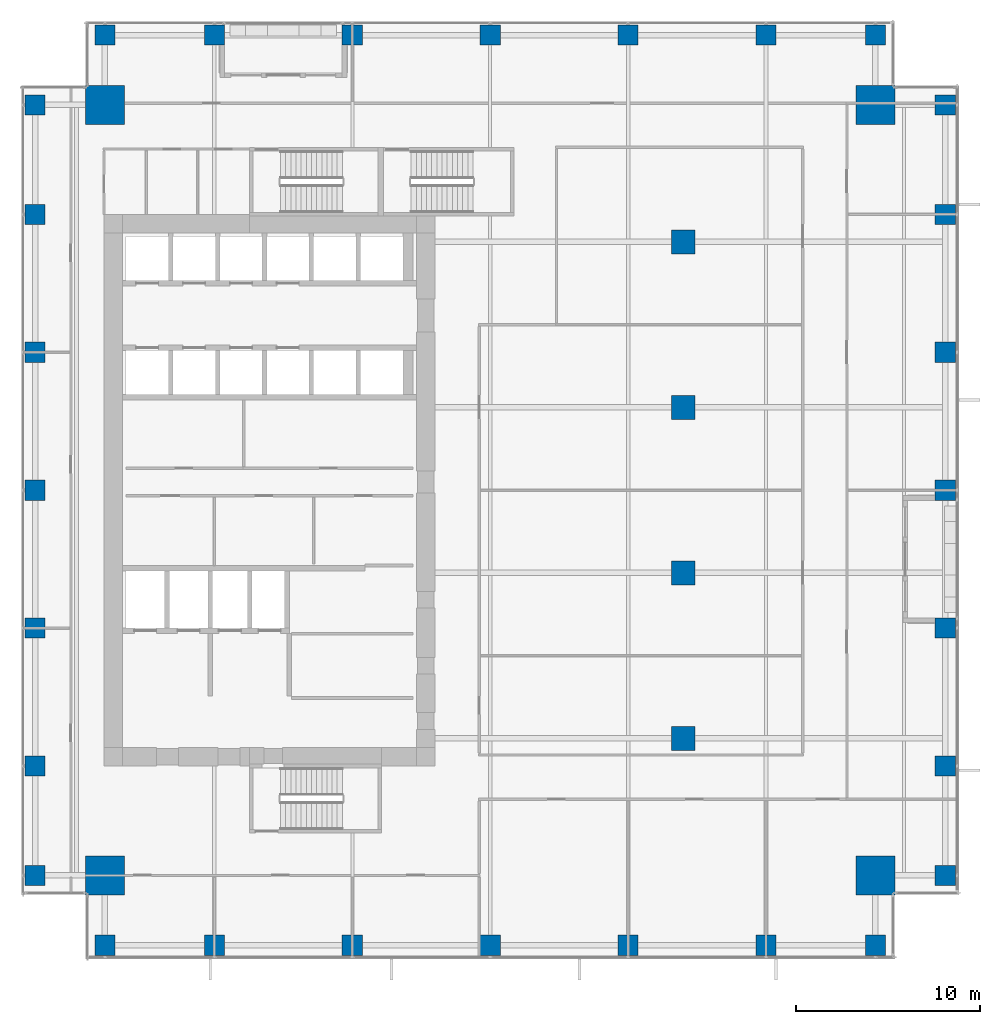
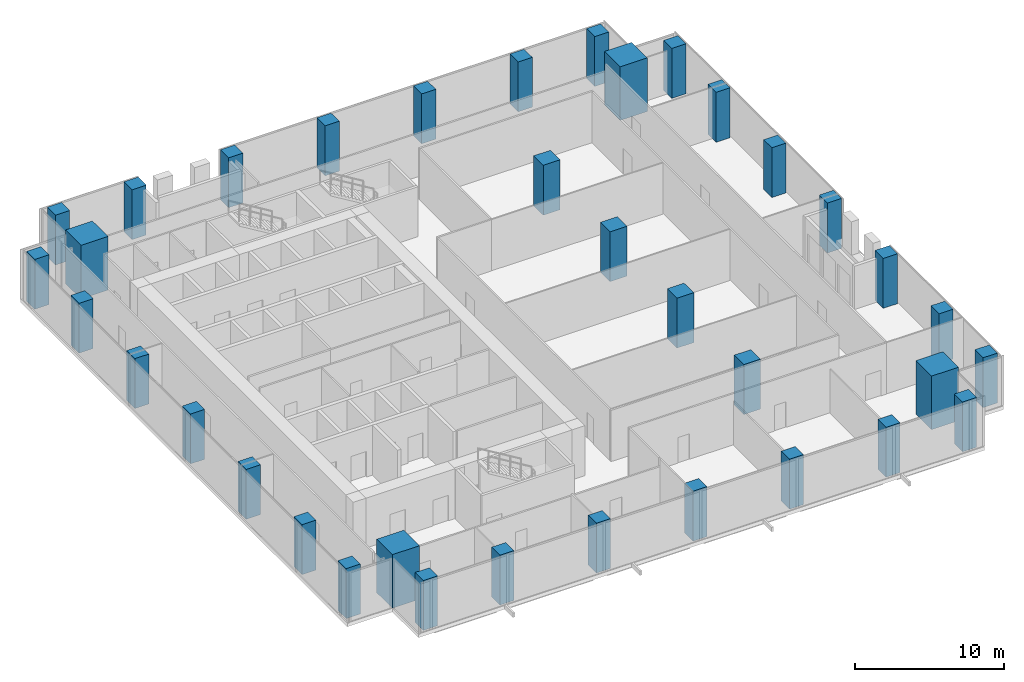
# One storey, part 1 of 34: 36 columns.
"""IFC4 building model written with IfcOpenShell, lengths in metres."""

import ifcopenshell
import ifcopenshell.guid

model = None  # the IFC model being written
_history = None  # IfcOwnerHistory: only IFC2X3 demands one
_inside = {}  # id of a spatial element -> (the spatial element, [elements in it])
_under = {}  # id of a project, library or spatial element -> (it, [spatial elements below it])
_declared = {}  # id of a project -> (the project, [libraries it declares])
_typed = {}  # id of a type object -> (the type object, [elements of that type])
_made_of = {}  # id of a material, layer set ... -> (it, [elements and type objects made of it])


def new_model(schema):
    """Start an empty IFC model of exactly this schema.

    Asked for "IFC4X3", IfcOpenShell would pick the latest addendum, in which some entities
    have other attributes; the version numbers below select the first issue.
    IFC2X3 requires an IfcOwnerHistory on every rooted entity: one is made here for all.
    """
    global model, _history
    if schema == "IFC4X3":
        model = ifcopenshell.file(schema_version=(4, 3, 0, 0))
    else:
        model = ifcopenshell.file(schema=schema)
    _inside.clear()
    _under.clear()
    _declared.clear()
    _typed.clear()
    _made_of.clear()
    _history = None
    if model.schema == "IFC2X3":
        org = make("IfcOrganization", Name="unknown")
        user = make(
            "IfcPersonAndOrganization",
            ThePerson=make("IfcPerson", FamilyName="unknown"),
            TheOrganization=org,
        )
        app = make(
            "IfcApplication",
            ApplicationDeveloper=org,
            Version="unknown",
            ApplicationFullName="unknown",
            ApplicationIdentifier="unknown",
        )
        _history = make(
            "IfcOwnerHistory",
            OwningUser=user,
            OwningApplication=app,
            ChangeAction="ADDED",
            CreationDate=0,
        )
    return model


def make(cls, **values):
    """One entity of the class cls with the attributes given. An attribute that is None is left unset."""
    return model.create_entity(
        cls, **{name: value for name, value in values.items() if value is not None}
    )


def rooted(cls, **values):
    """An entity with a GlobalId (a new one), such as an element, a storey or a relation."""
    return make(cls, GlobalId=ifcopenshell.guid.new(), OwnerHistory=_history, **values)


def si_unit(unit_type, name, prefix=None):
    """IfcSIUnit, for example si_unit("LENGTHUNIT", "METRE", prefix="MILLI")."""
    return make("IfcSIUnit", UnitType=unit_type, Prefix=prefix, Name=name)


def assignment(units):
    """IfcUnitAssignment: the units of a project."""
    return None if units is None else make("IfcUnitAssignment", Units=units)


def point(xyz):
    """IfcCartesianPoint."""
    return None if xyz is None else make("IfcCartesianPoint", Coordinates=xyz)


def direction(xyz):
    """IfcDirection."""
    return None if xyz is None else make("IfcDirection", DirectionRatios=xyz)


def frame(location, z_axis=None, x_axis=None):
    """IfcAxis2Placement3D, a coordinate frame: its origin and axes. An axis left out is left unset."""
    return make(
        "IfcAxis2Placement3D",
        Location=point(location),
        Axis=direction(z_axis),
        RefDirection=direction(x_axis),
    )


def frame_2d(location, x_axis=None):
    """IfcAxis2Placement2D, a coordinate frame in the plane: its origin and x axis."""
    return make(
        "IfcAxis2Placement2D", Location=point(location), RefDirection=direction(x_axis)
    )


def origin():
    """The frame at (0, 0, 0) with its axes left unset."""
    return frame((0.0, 0.0, 0.0))


def origin_2d():
    """The frame at (0, 0) in the plane with its x axis left unset."""
    return frame_2d((0.0, 0.0))


def place(relative_to, where):
    """IfcLocalPlacement: puts the frame where relative to a parent placement (None: the world)."""
    return make(
        "IfcLocalPlacement", PlacementRelTo=relative_to, RelativePlacement=where
    )


def context(
    kind, dimensions, precision=None, world=None, true_north=None, identifier=None
):
    """IfcGeometricRepresentationContext, for example the 3D "Model" context."""
    return make(
        "IfcGeometricRepresentationContext",
        ContextIdentifier=identifier,
        ContextType=kind,
        CoordinateSpaceDimension=dimensions,
        Precision=precision,
        WorldCoordinateSystem=world,
        TrueNorth=true_north,
    )


def subcontext(parent, identifier, kind, view, scale=None):
    """IfcGeometricRepresentationSubContext, for example "Body" below "Model"."""
    return make(
        "IfcGeometricRepresentationSubContext",
        ContextIdentifier=identifier,
        ContextType=kind,
        ParentContext=parent,
        TargetScale=scale,
        TargetView=view,
    )


def project(units=None, contexts=None):
    """IfcProject with its units and contexts."""
    return rooted(
        "IfcProject",
        Name="project",
        RepresentationContexts=contexts,
        UnitsInContext=assignment(units),
    )


def spatial(cls, under=None, at=None, **own):
    """A site, building, storey or space (cls), placed at a placement, below another one or the project."""
    s = rooted(cls, ObjectPlacement=at, **own)
    if under is not None:
        _under.setdefault(under.id(), (under, []))[1].append(s)
    return s


def profile(cls, at=None, kind="AREA", **sizes):
    """A parametric profile (cls). Its sizes go by their IFC names, for example OverallWidth=200.0."""
    return make(cls, ProfileType=kind, Position=at, **sizes)


def rectangle(**sizes):
    """IfcRectangleProfileDef."""
    return profile("IfcRectangleProfileDef", **sizes)


def extrude(swept, where, along, depth):
    """IfcExtrudedAreaSolid: the profile swept, set in the frame where, extruded along a direction by depth."""
    return make(
        "IfcExtrudedAreaSolid",
        SweptArea=swept,
        Position=where,
        ExtrudedDirection=direction(along),
        Depth=depth,
    )


def shape(context_of_items, identifier, shape_type, items):
    """IfcShapeRepresentation: the items that make up one representation, for example the "Body"."""
    return make(
        "IfcShapeRepresentation",
        ContextOfItems=context_of_items,
        RepresentationIdentifier=identifier,
        RepresentationType=shape_type,
        Items=items,
    )


def source(mapping_origin, context_of_items, identifier, shape_type, items):
    """IfcRepresentationMap: a shape defined once, which mapped items show again and again."""
    return make(
        "IfcRepresentationMap",
        MappingOrigin=mapping_origin,
        MappedRepresentation=shape(context_of_items, identifier, shape_type, items),
    )


def transform(
    local_origin,
    x_axis=None,
    y_axis=None,
    z_axis=None,
    scale=None,
    scale2=None,
    scale3=None,
    uniform=True,
):
    """IfcCartesianTransformationOperator3D, or its non-uniform kind. x_axis, y_axis, z_axis: its Axis1, 2, 3."""
    if uniform:
        return make(
            "IfcCartesianTransformationOperator3D",
            Axis1=direction(x_axis),
            Axis2=direction(y_axis),
            LocalOrigin=point(local_origin),
            Scale=scale,
            Axis3=direction(z_axis),
        )
    return make(
        "IfcCartesianTransformationOperator3DnonUniform",
        Axis1=direction(x_axis),
        Axis2=direction(y_axis),
        LocalOrigin=point(local_origin),
        Scale=scale,
        Axis3=direction(z_axis),
        Scale2=scale2,
        Scale3=scale3,
    )


def mapped(mapping_source, mapping_target):
    """IfcMappedItem: shows the shape of a source again, moved by a transform."""
    return make(
        "IfcMappedItem", MappingSource=mapping_source, MappingTarget=mapping_target
    )


def material(Name=None, Category=None):
    """IfcMaterial."""
    return make("IfcMaterial", Name=Name, Category=Category)


def material_profile(
    of_material, cross_section, Name=None, Category=None, Priority=None
):
    """IfcMaterialProfile: a cross section and its material."""
    return make(
        "IfcMaterialProfile",
        Name=Name,
        Material=of_material,
        Profile=cross_section,
        Priority=Priority,
        Category=Category,
    )


def profile_set(profiles, Name=None, composite=None):
    """IfcMaterialProfileSet."""
    return make(
        "IfcMaterialProfileSet",
        Name=Name,
        MaterialProfiles=profiles,
        CompositeProfile=composite,
    )


def made_of(thing, what):
    """Note that an element or type object is made of a material, layer set ...; save() writes the relation."""
    if what is not None:
        _made_of.setdefault(what.id(), (what, []))[1].append(thing)
    return thing


def type_object(cls, material=None, **own):
    """A type object (cls), such as IfcWallType, which elements share."""
    return made_of(rooted(cls, **own), material)


def element(
    cls,
    number,
    at=None,
    inside=None,
    cuts=None,
    type_object=None,
    material=None,
    context=None,
    identifier="Body",
    shape_type=None,
    held_by="IfcProductDefinitionShape",
    body=None,
    shapes=None,
    **own,
):
    """One element of the class cls, such as IfcWall. Its Tag is "e" and its number.

    at: its placement. inside: the storey or other place that contains it. cuts: it is an
    opening in that element (IfcRelVoidsElement). A single representation is given by context,
    identifier, shape_type and body (its items); several are given by shapes. held_by: the class
    of the entity that holds the representations. save() writes the other relations.
    """
    e = rooted(cls, Tag="e%d" % number, ObjectPlacement=at, **own)
    if body is not None:
        shapes = [shape(context, identifier, shape_type, body)]
    if shapes is not None:
        e.Representation = make(held_by, Representations=shapes)
    if inside is not None:
        _inside.setdefault(inside.id(), (inside, []))[1].append(e)
    if cuts is not None:
        rooted(
            "IfcRelVoidsElement", RelatingBuildingElement=cuts, RelatedOpeningElement=e
        )
    if type_object is not None:
        _typed.setdefault(type_object.id(), (type_object, []))[1].append(e)
    return made_of(e, material)


def aggregate(whole, parts):
    """IfcRelAggregates: a whole, such as a stair, and the parts it consists of."""
    return rooted("IfcRelAggregates", RelatingObject=whole, RelatedObjects=parts)


def save(model, path):
    """Write the relations noted so far, then the file.

    IfcRelAggregates (storeys below a building ...), IfcRelContainedInSpatialStructure (elements
    in a storey), IfcRelDefinesByType, IfcRelAssociatesMaterial and IfcRelDeclares: one each for
    every whole, place, type object, material and project.
    """
    for whole, parts in _under.values():
        aggregate(whole, parts)
    for where, things in _inside.values():
        rooted(
            "IfcRelContainedInSpatialStructure",
            RelatedElements=things,
            RelatingStructure=where,
        )
    for kind, things in _typed.values():
        rooted("IfcRelDefinesByType", RelatedObjects=things, RelatingType=kind)
    for what, things in _made_of.values():
        rooted("IfcRelAssociatesMaterial", RelatedObjects=things, RelatingMaterial=what)
    for by, libraries in _declared.values():
        rooted("IfcRelDeclares", RelatingContext=by, RelatedDefinitions=libraries)
    model.write(path)


model = new_model("IFC4")

# Units and contexts
model_context = context("Model", 3, precision=1e-05, world=origin(), true_north=direction((0.0, 1.0)))
body_context = subcontext(model_context, "Body", "Model", "MODEL_VIEW")
ifc_project = project(units=[si_unit("LENGTHUNIT", "METRE"), si_unit("AREAUNIT", "SQUARE_METRE"), si_unit("VOLUMEUNIT", "CUBIC_METRE"), si_unit("PLANEANGLEUNIT", "RADIAN"), si_unit("MASSUNIT", "GRAM", prefix="KILO")], contexts=[model_context])

# Site, building, storey
site_placement = place(None, origin())
site = spatial("IfcSite", under=ifc_project, at=site_placement, CompositionType="ELEMENT")
building_placement = place(site_placement, origin())
building = spatial("IfcBuilding", under=site, at=building_placement, Name="Khomas Fold Tower", CompositionType="ELEMENT")
storey_placement = place(building_placement, frame((0.0, 0.0, 105.89990234375)))
storey = spatial("IfcBuildingStorey", under=building, at=storey_placement, Name="L22", CompositionType="ELEMENT", Elevation=105.89990234375)

# Columns
ifc_material_1 = material(Name="Concrete C50/60", Category="concrete")
ifc_material_profile_1 = material_profile(ifc_material_1, rectangle(XDim=1.10009765625, YDim=1.10009765625, at=origin_2d()), Name="RC 1100x1100")
ifc_profile_set_1 = profile_set([ifc_material_profile_1], Name="Concrete C50/60")
column_type_1 = type_object("IfcColumnType", Name="RC 1100x1100 column", PredefinedType="COLUMN", material=ifc_profile_set_1)
shared_shape_1 = source(origin(), body_context, "Body", "SweptSolid", [
    extrude(rectangle(XDim=1.10009765625, YDim=1.10009765625, at=origin_2d()), origin(), (0.0, 0.0, 1.0), 4.10009765625),
])
for number, where, z_axis, x_axis, name in (
    (1, (6.050048828125, 2.25, 0.0), (0.0, 0.0, 1.0), (1.0, 0.0, 0.0), "C-3-SF2"),
    (2, (12.0, 2.25, 0.0), (0.0, 0.0, 1.0), (1.0, 0.0, 0.0), "C-6-SF2"),
    (3, (19.5, 2.25, 0.0), (0.0, 0.0, 1.0), (1.0, 0.0, 0.0), "C-8-SF2"),
    (4, (27.0, 2.25, 0.0), (0.0, 0.0, 1.0), (1.0, 0.0, 0.0), "C-9-SF2"),
    (5, (34.5, 2.25, 0.0), (0.0, 0.0, 1.0), (1.0, 0.0, 0.0), "C-10-SF2"),
    (6, (42.0, 2.25, 0.0), (0.0, 0.0, 1.0), (1.0, 0.0, 0.0), "C-13-SF2"),
    (7, (47.949951171875, 2.25, 0.0), (0.0, 0.0, 1.0), (1.0, 0.0, 0.0), "C-16-SF2"),
    (8, (51.75, 6.050048828125, 0.0), (0.0, 0.0, 1.0), (1.0, 0.0, 0.0), "C-E2-C"),
    (9, (51.75, 12.0, 0.0), (0.0, 0.0, 1.0), (1.0, 0.0, 0.0), "C-E2-F"),
    (10, (51.75, 19.5, 0.0), (0.0, 0.0, 1.0), (1.0, 0.0, 0.0), "C-E2-J"),
    (11, (51.75, 27.0, 0.0), (0.0, 0.0, 1.0), (1.0, 0.0, 0.0), "C-E2-L"),
    (12, (51.75, 34.5, 0.0), (0.0, 0.0, 1.0), (1.0, 0.0, 0.0), "C-E2-N"),
    (13, (51.75, 42.0, 0.0), (0.0, 0.0, 1.0), (1.0, 0.0, 0.0), "C-E2-R"),
    (14, (51.75, 47.949951171875, 0.0), (0.0, 0.0, 1.0), (1.0, 0.0, 0.0), "C-E2-U"),
    (15, (6.050048828125, 51.75, 0.0), (0.0, 0.0, 1.0), (1.0, 0.0, 0.0), "C-3-NF2"),
    (16, (12.0, 51.75, 0.0), (0.0, 0.0, 1.0), (1.0, 0.0, 0.0), "C-6-NF2"),
    (17, (19.5, 51.75, 0.0), (0.0, 0.0, 1.0), (1.0, 0.0, 0.0), "C-8-NF2"),
    (18, (27.0, 51.75, 0.0), (0.0, 0.0, 1.0), (1.0, 0.0, 0.0), "C-9-NF2"),
    (19, (34.5, 51.75, 0.0), (0.0, 0.0, 1.0), (1.0, 0.0, 0.0), "C-10-NF2"),
    (20, (42.0, 51.75, 0.0), (0.0, 0.0, 1.0), (1.0, 0.0, 0.0), "C-13-NF2"),
    (21, (47.949951171875, 51.75, 0.0), (0.0, 0.0, 1.0), (1.0, 0.0, 0.0), "C-16-NF2"),
    (22, (2.25, 6.050048828125, 0.0), (0.0, 0.0, 1.0), (1.0, 0.0, 0.0), "C-W2-C"),
    (23, (2.25, 12.0, 0.0), (0.0, 0.0, 1.0), (1.0, 0.0, 0.0), "C-W2-F"),
    (24, (2.25, 19.5, 0.0), (0.0, 0.0, 1.0), (1.0, 0.0, 0.0), "C-W2-J"),
    (25, (2.25, 27.0, 0.0), (0.0, 0.0, 1.0), (1.0, 0.0, 0.0), "C-W2-L"),
    (26, (2.25, 34.5, 0.0), (0.0, 0.0, 1.0), (1.0, 0.0, 0.0), "C-W2-N"),
    (27, (2.25, 42.0, 0.0), (0.0, 0.0, 1.0), (1.0, 0.0, 0.0), "C-W2-R"),
    (28, (2.25, 47.949951171875, 0.0), (0.0, 0.0, 1.0), (1.0, 0.0, 0.0), "C-W2-U"),
):
    element("IfcColumn", number, at=place(storey_placement, frame(where, z_axis=z_axis, x_axis=x_axis)), inside=storey, type_object=column_type_1, Name=name, PredefinedType="COLUMN", context=body_context, shape_type="MappedRepresentation", body=[
        mapped(shared_shape_1, transform((0.0, 0.0, 0.0))),
    ])
ifc_material_2 = material(Name="Concrete C60/75", Category="concrete")
ifc_material_profile_2 = material_profile(ifc_material_2, rectangle(XDim=1.300048828125, YDim=1.300048828125, at=origin_2d()), Name="RC 1300x1300")
ifc_profile_set_2 = profile_set([ifc_material_profile_2], Name="Concrete C60/75")
column_type_2 = type_object("IfcColumnType", Name="RC 1300x1300 column", PredefinedType="COLUMN", material=ifc_profile_set_2)
shared_shape_2 = source(origin(), body_context, "Body", "SweptSolid", [
    extrude(rectangle(XDim=1.300048828125, YDim=1.300048828125, at=origin_2d()), origin(), (0.0, 0.0, 1.0), 4.10009765625),
])
for number, where, z_axis, x_axis, name in (
    (29, (37.5, 13.5, 0.0), (0.0, 0.0, 1.0), (1.0, 0.0, 0.0), "C-11-H"),
    (30, (37.5, 22.5, 0.0), (0.0, 0.0, 1.0), (1.0, 0.0, 0.0), "C-11-K"),
    (31, (37.5, 31.5, 0.0), (0.0, 0.0, 1.0), (1.0, 0.0, 0.0), "C-11-M"),
    (32, (37.5, 40.5, 0.0), (0.0, 0.0, 1.0), (1.0, 0.0, 0.0), "C-11-P"),
):
    element("IfcColumn", number, at=place(storey_placement, frame(where, z_axis=z_axis, x_axis=x_axis)), inside=storey, type_object=column_type_2, Name=name, PredefinedType="COLUMN", context=body_context, shape_type="MappedRepresentation", body=[
        mapped(shared_shape_2, transform((0.0, 0.0, 0.0))),
    ])
ifc_material_3 = material(Name="Concrete C70/85", Category="concrete")
ifc_material_profile_3 = material_profile(ifc_material_3, rectangle(XDim=2.10009765625, YDim=2.10009765625, at=origin_2d()), Name="RC 2100x2100")
ifc_profile_set_3 = profile_set([ifc_material_profile_3], Name="Concrete C70/85")
column_type_3 = type_object("IfcColumnType", Name="RC 2100x2100 column", PredefinedType="COLUMN", material=ifc_profile_set_3)
shared_shape_3 = source(origin(), body_context, "Body", "SweptSolid", [
    extrude(rectangle(XDim=2.10009765625, YDim=2.10009765625, at=origin_2d()), origin(), (0.0, 0.0, 1.0), 4.400146484375),
])
for number, where, z_axis, x_axis, name in (
    (33, (47.949951171875, 47.949951171875, 0.0), (0.0, 0.0, 1.0), (1.0, 0.0, 0.0), "CM-NE"),
    (34, (6.050048828125, 47.949951171875, 0.0), (0.0, 0.0, 1.0), (1.0, 0.0, 0.0), "CM-NW"),
    (35, (47.949951171875, 6.050048828125, 0.0), (0.0, 0.0, 1.0), (1.0, 0.0, 0.0), "CM-SE"),
    (36, (6.050048828125, 6.050048828125, 0.0), (0.0, 0.0, 1.0), (1.0, 0.0, 0.0), "CM-SW"),
):
    element("IfcColumn", number, at=place(storey_placement, frame(where, z_axis=z_axis, x_axis=x_axis)), inside=storey, type_object=column_type_3, Name=name, PredefinedType="COLUMN", context=body_context, shape_type="MappedRepresentation", body=[
        mapped(shared_shape_3, transform((0.0, 0.0, 0.0))),
    ])

save(model, "model.ifc")
